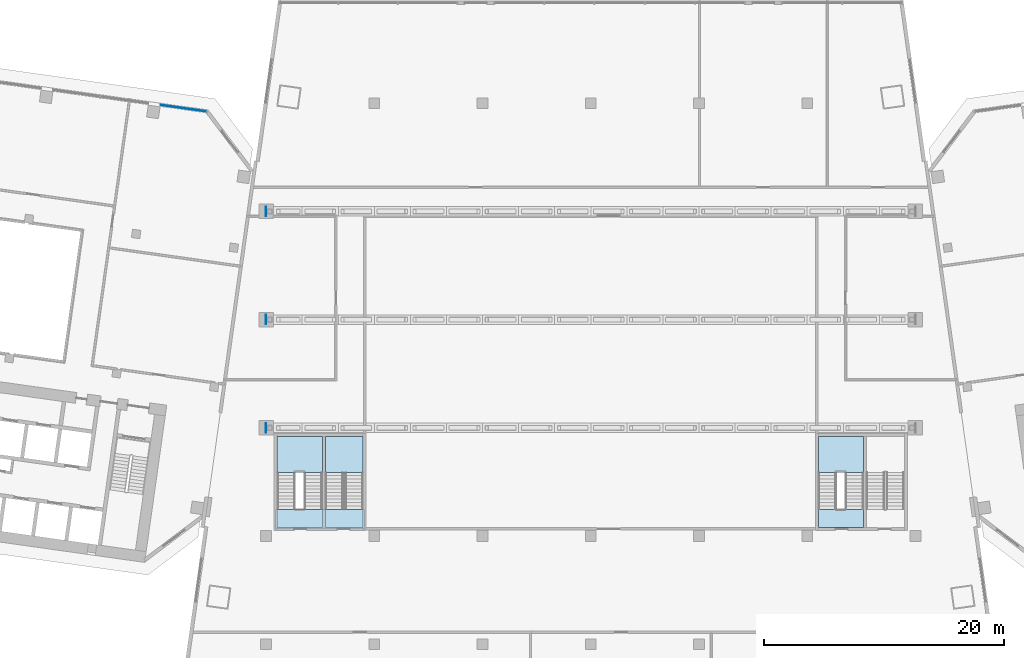
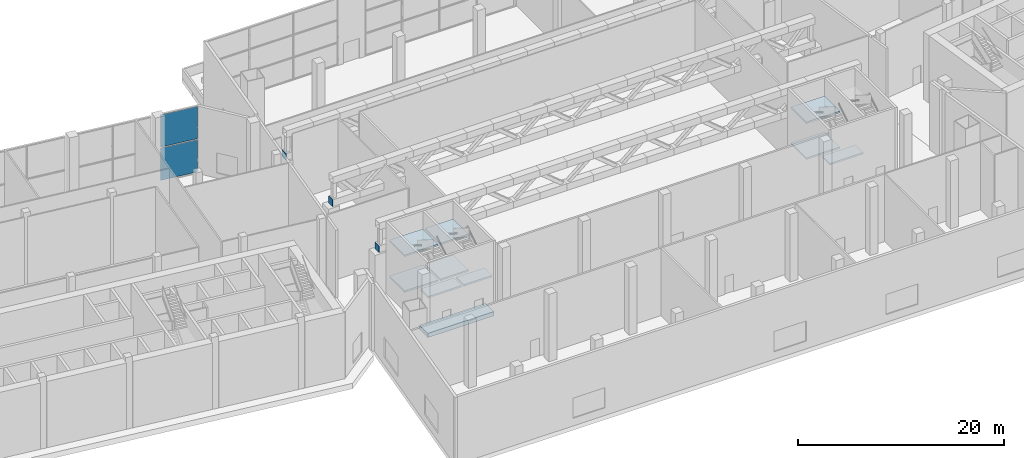
# One storey, part 13 of 31: 10 slabs, 5 plates, 4 elements without a shape of their own.
"""IFC4 building model written with IfcOpenShell, lengths in metres."""

from ifc_helpers import new_model, si_unit, direction, frame, origin, origin_2d, place, context, subcontext, project, spatial, polyline, rectangle, outline, extrude, material, layer, layer_set, type_object, element, aggregate, save


model = new_model("IFC4")

# Units and contexts
model_context = context("Model", 3, precision=1e-05, world=origin(), true_north=direction((0.0, 1.0)))
body_context = subcontext(model_context, "Body", "Model", "MODEL_VIEW")
ifc_project = project(units=[si_unit("LENGTHUNIT", "METRE"), si_unit("AREAUNIT", "SQUARE_METRE"), si_unit("VOLUMEUNIT", "CUBIC_METRE"), si_unit("PLANEANGLEUNIT", "RADIAN"), si_unit("MASSUNIT", "GRAM", prefix="KILO")], contexts=[model_context])

# Site, building, storey
site_placement = place(None, origin())
site = spatial("IfcSite", under=ifc_project, at=site_placement, CompositionType="ELEMENT")
building_placement = place(site_placement, origin())
building = spatial("IfcBuilding", under=site, at=building_placement, Name="Mirante Cascada Hotel Towers", CompositionType="ELEMENT")
storey_placement = place(building_placement, frame((0.0, 0.0, 9.0)))
storey = spatial("IfcBuildingStorey", under=building, at=storey_placement, Name="L01", CompositionType="ELEMENT", Elevation=9.0)

# Curtain wall, plates
ifc_material_1 = material(Name="Aluminium mullion and transom frame with clear laminated glass", Category="aluminium")
curtain_wall_type = type_object("IfcCurtainWallType", Name="Podium curtain wall ECW3", PredefinedType="NOTDEFINED", material=ifc_material_1)
curtain_wall_placement = place(storey_placement, origin())
curtain_wall = element("IfcCurtainWall", 1, at=curtain_wall_placement, inside=storey, type_object=curtain_wall_type, Name="Front podium glazing T1 L01", PredefinedType="NOTDEFINED")
ifc_material_2 = material(Name="Clear laminated glass", Category="glass")
ifc_layer_1 = layer(ifc_material_2, 0.04)
ifc_layer_set_1 = layer_set([ifc_layer_1], Name="ECW3 glass panel 40")
plate_type_1 = type_object("IfcPlateType", Name="ECW3 glass panel 40", PredefinedType="CURTAIN_PANEL", material=ifc_layer_set_1)
plate_1_placement = place(storey_placement, frame((-33.8738, 17.5797, 0.12), z_axis=(0.0, 0.0, 1.0), x_axis=(0.9902681, -0.1391731, 0.0)))
plate_1 = element("IfcPlate", 2, at=plate_1_placement, type_object=plate_type_1, Name="ECW3 panel 14", PredefinedType="CURTAIN_PANEL", context=body_context, shape_type="SweptSolid", body=[
    extrude(rectangle(XDim=3.8379, YDim=0.04, at=origin_2d()), origin(), (0.0, 0.0, 1.0), 3.82),
])
plate_2_placement = place(storey_placement, frame((-33.8738, 17.5797, 4.06), z_axis=(0.0, 0.0, 1.0), x_axis=(0.9902681, -0.1391731, 0.0)))
plate_2 = element("IfcPlate", 3, at=plate_2_placement, type_object=plate_type_1, Name="ECW3 panel 14", PredefinedType="CURTAIN_PANEL", context=body_context, shape_type="SweptSolid", body=[
    extrude(rectangle(XDim=3.8379, YDim=0.04, at=origin_2d()), origin(), (0.0, 0.0, 1.0), 3.82),
])
aggregate(curtain_wall, [plate_1, plate_2])

# Plates
ifc_material_3 = material(Name="Steel ASTM A572 Gr 50", Category="steel")
ifc_layer_2 = layer(ifc_material_3, 0.04)
ifc_layer_set_2 = layer_set([ifc_layer_2], Name="End plate 800x800x40 ASTM A572 Gr 50")
plate_type_2 = type_object("IfcPlateType", Name="End plate 800x800x40 ASTM A572 Gr 50", PredefinedType="SHEET", material=ifc_layer_set_2)
for number, where, z_axis, x_axis, name in (
    (4, (-27.02, -9.0, 5.0), (0.0, 0.0, 1.0), (1.0, 0.0, 0.0), "End plate TB1"),
    (5, (-27.02, 0.0, 5.0), (0.0, 0.0, 1.0), (1.0, 0.0, 0.0), "End plate TB2"),
    (6, (-27.02, 9.0, 5.0), (0.0, 0.0, 1.0), (1.0, 0.0, 0.0), "End plate TB3"),
):
    element("IfcPlate", number, at=place(storey_placement, frame(where, z_axis=z_axis, x_axis=x_axis)), inside=storey, type_object=plate_type_2, Name=name, PredefinedType="SHEET", context=body_context, shape_type="SweptSolid", body=[
        extrude(rectangle(XDim=0.04, YDim=0.8, at=origin_2d()), origin(), (0.0, 0.0, 1.0), 0.8),
    ])

# Stair, slabs
ifc_material_4 = material(Name="Concrete C35/45", Category="concrete")
stair_type = type_object("IfcStairType", Name="Podium exit stair half-turn 1500 concrete C35/45", PredefinedType="HALF_TURN_STAIR", material=ifc_material_4)
stair_1_placement = place(storey_placement, origin())
stair_1 = element("IfcStair", 7, at=stair_1_placement, inside=storey, type_object=stair_type, Name="L01 Podium exit stair 3", PredefinedType="HALF_TURN_STAIR")
ifc_material_5 = material(Name="Concrete C35/45", Category="concrete")
ifc_layer_3 = layer(ifc_material_5, 0.2)
ifc_layer_set_3 = layer_set([ifc_layer_3], Name="Podium exit stair landing 200 concrete C35/45")
slab_type_1 = type_object("IfcSlabType", Name="Podium exit stair landing 200 concrete C35/45", PredefinedType="LANDING", material=ifc_layer_set_3)
slab_1_placement = place(storey_placement, frame((0.0, 0.0, 1.925)))
slab_1 = element("IfcSlab", 8, at=slab_1_placement, type_object=slab_type_1, Name="PS1 landing 1", PredefinedType="LANDING", context=body_context, shape_type="SweptSolid", body=[
    extrude(outline(polyline([(-18.925, -12.695), (-18.925, -9.725), (-22.075, -9.725), (-22.075, -12.695), (-18.925, -12.695)])), origin(), (0.0, 0.0, 1.0), 0.2),
])
slab_2_placement = place(storey_placement, frame((0.0, 0.0, 4.05)))
slab_2 = element("IfcSlab", 9, at=slab_2_placement, type_object=slab_type_1, Name="PS1 landing 2", PredefinedType="LANDING", context=body_context, shape_type="SweptSolid", body=[
    extrude(outline(polyline([(-18.925, -17.275), (-18.925, -15.775), (-22.075, -15.775), (-22.075, -17.275), (-18.925, -17.275)])), origin(), (0.0, 0.0, 1.0), 0.2),
])
slab_3_placement = place(storey_placement, frame((0.0, 0.0, 6.175)))
slab_3 = element("IfcSlab", 10, at=slab_3_placement, type_object=slab_type_1, Name="PS1 landing 3", PredefinedType="LANDING", context=body_context, shape_type="SweptSolid", body=[
    extrude(outline(polyline([(-18.925, -12.695), (-18.925, -9.725), (-22.075, -9.725), (-22.075, -12.695), (-18.925, -12.695)])), origin(), (0.0, 0.0, 1.0), 0.2),
])
aggregate(stair_1, [slab_1, slab_2, slab_3])

stair_2_placement = place(storey_placement, origin())
stair_2 = element("IfcStair", 11, at=stair_2_placement, inside=storey, type_object=stair_type, Name="L01 Podium exit stair 5", PredefinedType="HALF_TURN_STAIR")
slab_4_placement = place(storey_placement, frame((0.0, 0.0, 1.925)))
slab_4 = element("IfcSlab", 12, at=slab_4_placement, type_object=slab_type_1, Name="PS3 landing 1", PredefinedType="LANDING", context=body_context, shape_type="SweptSolid", body=[
    extrude(outline(polyline([(-22.325, -12.695), (-22.325, -9.725), (-26.075, -9.725), (-26.075, -12.695), (-22.325, -12.695)])), origin(), (0.0, 0.0, 1.0), 0.2),
])
slab_5_placement = place(storey_placement, frame((0.0, 0.0, 4.05)))
slab_5 = element("IfcSlab", 13, at=slab_5_placement, type_object=slab_type_1, Name="PS3 landing 2", PredefinedType="LANDING", context=body_context, shape_type="SweptSolid", body=[
    extrude(outline(polyline([(-22.325, -17.275), (-22.325, -15.775), (-26.075, -15.775), (-26.075, -17.275), (-22.325, -17.275)])), origin(), (0.0, 0.0, 1.0), 0.2),
])
slab_6_placement = place(storey_placement, frame((0.0, 0.0, 6.175)))
slab_6 = element("IfcSlab", 14, at=slab_6_placement, type_object=slab_type_1, Name="PS3 landing 3", PredefinedType="LANDING", context=body_context, shape_type="SweptSolid", body=[
    extrude(outline(polyline([(-22.325, -12.695), (-22.325, -9.725), (-26.075, -9.725), (-26.075, -12.695), (-22.325, -12.695)])), origin(), (0.0, 0.0, 1.0), 0.2),
])
aggregate(stair_2, [slab_4, slab_5, slab_6])

stair_3_placement = place(storey_placement, origin())
stair_3 = element("IfcStair", 15, at=stair_3_placement, inside=storey, type_object=stair_type, Name="L01 Podium exit stair 6", PredefinedType="HALF_TURN_STAIR")
slab_7_placement = place(storey_placement, frame((0.0, 0.0, 1.925)))
slab_7 = element("IfcSlab", 16, at=slab_7_placement, type_object=slab_type_1, Name="PS4 landing 1", PredefinedType="LANDING", context=body_context, shape_type="SweptSolid", body=[
    extrude(outline(polyline([(22.675, -12.695), (22.675, -9.725), (18.925, -9.725), (18.925, -12.695), (22.675, -12.695)])), origin(), (0.0, 0.0, 1.0), 0.2),
])
slab_8_placement = place(storey_placement, frame((0.0, 0.0, 4.05)))
slab_8 = element("IfcSlab", 17, at=slab_8_placement, type_object=slab_type_1, Name="PS4 landing 2", PredefinedType="LANDING", context=body_context, shape_type="SweptSolid", body=[
    extrude(outline(polyline([(22.675, -17.275), (22.675, -15.775), (18.925, -15.775), (18.925, -17.275), (22.675, -17.275)])), origin(), (0.0, 0.0, 1.0), 0.2),
])
slab_9_placement = place(storey_placement, frame((0.0, 0.0, 6.175)))
slab_9 = element("IfcSlab", 18, at=slab_9_placement, type_object=slab_type_1, Name="PS4 landing 3", PredefinedType="LANDING", context=body_context, shape_type="SweptSolid", body=[
    extrude(outline(polyline([(22.675, -12.695), (22.675, -9.725), (18.925, -9.725), (18.925, -12.695), (22.675, -12.695)])), origin(), (0.0, 0.0, 1.0), 0.2),
])
aggregate(stair_3, [slab_7, slab_8, slab_9])

# Slab
ifc_material_6 = material(Name="Concrete C35/45", Category="concrete")
ifc_layer_4 = layer(ifc_material_6, 0.5)
ifc_layer_set_4 = layer_set([ifc_layer_4], Name="Stair floor landing 500 concrete C35/45")
slab_type_2 = type_object("IfcSlabType", Name="Stair floor landing 500 concrete C35/45", PredefinedType="LANDING", material=ifc_layer_set_4)
slab_10_placement = place(storey_placement, frame((0.0, 0.0, -0.5)))
element("IfcSlab", 19, at=slab_10_placement, inside=storey, type_object=slab_type_2, Name="Exit stair 3 floor landing L01", PredefinedType="LANDING", context=body_context, shape_type="SweptSolid", body=[
    extrude(outline(polyline([(-26.2, -17.4), (-18.8, -17.4), (-18.8, -15.775), (-26.2, -15.775), (-26.2, -17.4)])), origin(), (0.0, 0.0, 1.0), 0.5),
])

save(model, "model.ifc")
